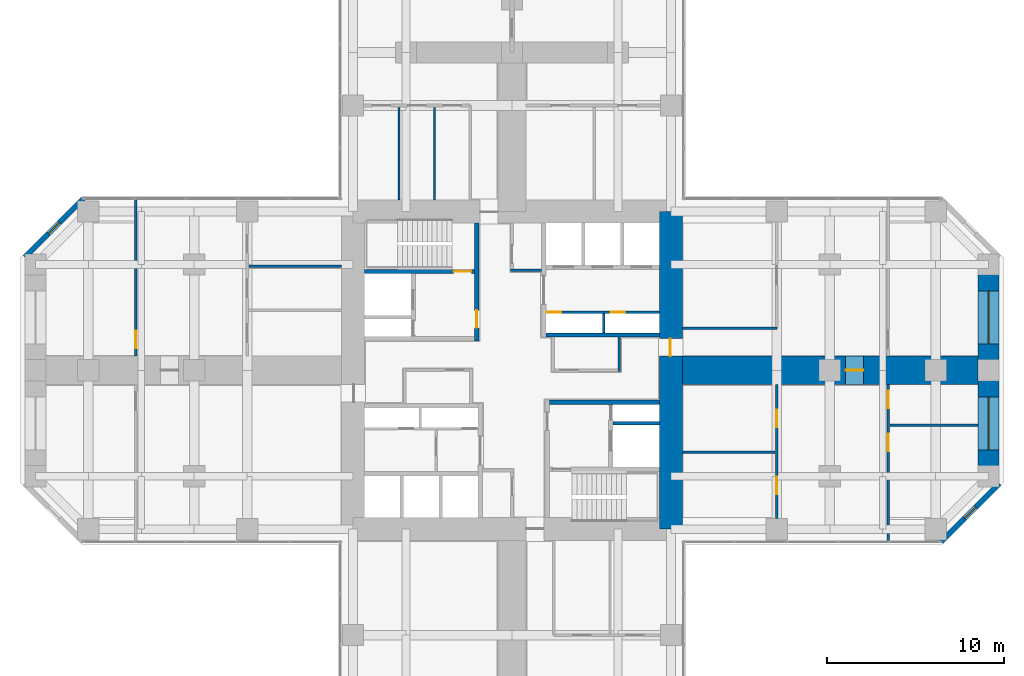
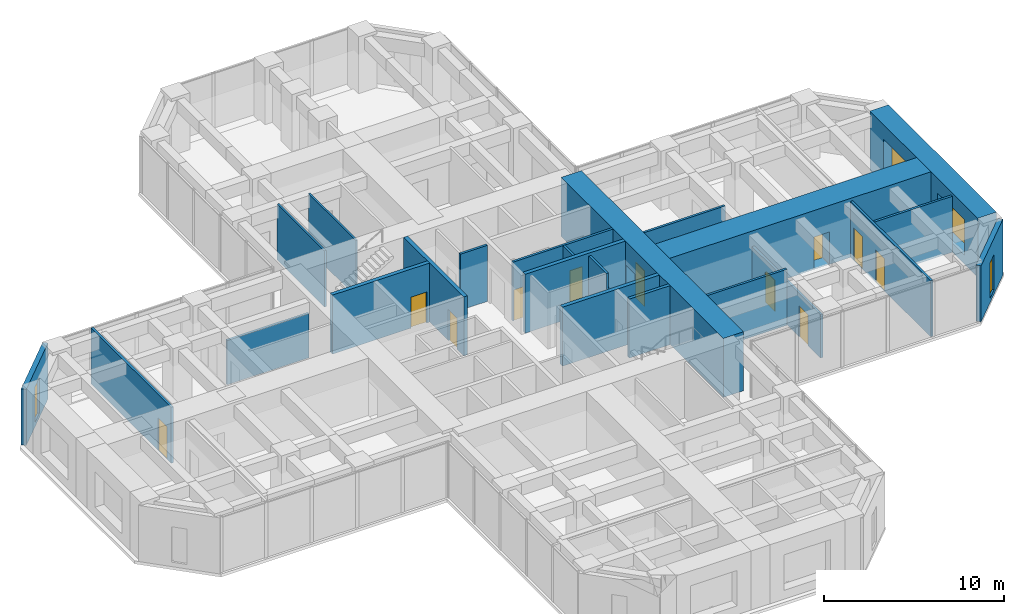
# One storey, part 10 of 13: 23 walls, 11 doors, 4 windows, 15 openings.
"""IFC4 building model written with IfcOpenShell, lengths in metres."""

from ifc_helpers import new_model, si_unit, direction, frame, frame_2d, origin, place, context, subcontext, project, spatial, rectangle, hollow_rectangle, extrude, material, layer, layer_set, constituent, constituent_set, type_object, element, fill, save


model = new_model("IFC4")

# Units and contexts
model_context = context("Model", 3, precision=1e-05, world=origin(), true_north=direction((0.0, 1.0)))
body_context = subcontext(model_context, "Body", "Model", "MODEL_VIEW")
ifc_project = project(units=[si_unit("LENGTHUNIT", "METRE"), si_unit("AREAUNIT", "SQUARE_METRE"), si_unit("VOLUMEUNIT", "CUBIC_METRE"), si_unit("PLANEANGLEUNIT", "RADIAN"), si_unit("MASSUNIT", "GRAM", prefix="KILO")], contexts=[model_context])

# Site, building, storey
site_placement = place(None, origin())
site = spatial("IfcSite", under=ifc_project, at=site_placement, CompositionType="ELEMENT")
building_placement = place(site_placement, origin())
building = spatial("IfcBuilding", under=site, at=building_placement, Name="Torre Cruceta", CompositionType="ELEMENT")
storey_placement = place(building_placement, frame((0.0, 0.0, 27.5)))
storey = spatial("IfcBuildingStorey", under=building, at=storey_placement, Name="L06", CompositionType="ELEMENT", Elevation=27.5)

# Wall
ifc_material_1 = material(Name="Concrete G60 (fck 60 MPa)", Category="concrete")
ifc_layer_1 = layer(ifc_material_1, 0.25)
ifc_layer_set_1 = layer_set([ifc_layer_1], Name="Concrete G60 (fck 60 MPa)")
wall_type_1 = type_object("IfcWallType", Name="CORE INNER WALL 250 G60", PredefinedType="SHEAR", material=ifc_layer_set_1)
wall_1_placement = place(storey_placement, frame((1.925048828125, 2.0, 0.0), z_axis=(0.0, 0.0, 1.0), x_axis=(1.0, 0.0, 0.0)))
element("IfcWall", 1, at=wall_1_placement, inside=storey, type_object=wall_type_1, Name="CW4 L06 NE-CV", PredefinedType="SHEAR", context=body_context, shape_type="SweptSolid", body=[
    extrude(rectangle(XDim=6.425048828125, YDim=0.25, at=frame_2d((3.21240234375, 0.0))), origin(), (0.0, 0.0, 1.0), 4.0),
])

# Wall, opening, door
wall_2_placement = place(storey_placement, frame((-2.0, 1.675048828125, 0.0), z_axis=(0.0, 0.0, 1.0), x_axis=(0.0, 1.0, 0.0)))
wall_2 = element("IfcWall", 2, at=wall_2_placement, inside=storey, type_object=wall_type_1, Name="CW4 L06 NW-CU", PredefinedType="SHEAR", context=body_context, shape_type="SweptSolid", body=[
    extrude(rectangle(XDim=6.675048828125, YDim=0.25, at=frame_2d((3.33740234375, 0.0))), origin(), (0.0, 0.0, 1.0), 4.0),
])
opening_1_placement = place(wall_2_placement, frame((0.72509765625, 0.0, 0.0)))
opening_1 = element("IfcOpeningElement", 3, at=opening_1_placement, cuts=wall_2, Name="Opening D3", PredefinedType="OPENING", context=body_context, shape_type="SweptSolid", body=[
    extrude(rectangle(XDim=1.0, YDim=2.10009765625, at=frame_2d((0.5, 1.050048828125))), frame((0.0, 0.135009765625, 0.0), z_axis=(0.0, -1.0, 0.0), x_axis=(1.0, 0.0, 0.0)), (0.0, 0.0, 1.0), 0.27001953125),
])
ifc_material_2 = material(Name="Steel DX51D", Category="steel")
ifc_constituent_1 = constituent(ifc_material_2, Name="Leaf and frame")
ifc_material_3 = material(Name="Polyester powder coating", Category="paint")
ifc_constituent_2 = constituent(ifc_material_3, Name="Finish")
ifc_constituent_set_1 = constituent_set(constituents=[ifc_constituent_1, ifc_constituent_2], Name="Steel fire door")
door_type_1 = type_object("IfcDoorType", Name="FIRE DOOR 1000X2100", OperationType="SINGLE_SWING_LEFT", PredefinedType="DOOR", material=ifc_constituent_set_1)
door_1_placement = place(opening_1_placement, origin())
door_1 = element("IfcDoor", 4, at=door_1_placement, inside=storey, type_object=door_type_1, Name="D3 L06 NW-LOBBY", OperationType="SINGLE_SWING_LEFT", OverallHeight=2.10009765625, OverallWidth=1.0, PredefinedType="DOOR", context=body_context, shape_type="SweptSolid", body=[
    extrude(rectangle(XDim=1.0, YDim=2.10009765625, at=frame_2d((0.5, 1.050048828125))), frame((0.0, 0.02490234375, 0.0), z_axis=(0.0, -1.0, 0.0), x_axis=(1.0, 0.0, 0.0)), (0.0, 0.0, 1.0), 0.050048828125),
])
fill(opening_1, door_1)

wall_3_placement = place(storey_placement, frame((-2.125, 5.60009765625, 0.0), z_axis=(0.0, 0.0, 1.0), x_axis=(-1.0, 0.0, 0.0)))
wall_3 = element("IfcWall", 5, at=wall_3_placement, inside=storey, type_object=wall_type_1, Name="CW4 L06 NW-SV", PredefinedType="SHEAR", context=body_context, shape_type="SweptSolid", body=[
    extrude(rectangle(XDim=6.22509765625, YDim=0.25, at=frame_2d((3.112548828125, 0.0))), origin(), (0.0, 0.0, 1.0), 4.0),
])
opening_2_placement = place(wall_3_placement, frame((0.175048828125, 0.0, 0.0)))
opening_2 = element("IfcOpeningElement", 6, at=opening_2_placement, cuts=wall_3, Name="Opening D3", PredefinedType="OPENING", context=body_context, shape_type="SweptSolid", body=[
    extrude(rectangle(XDim=1.0, YDim=2.10009765625, at=frame_2d((0.5, 1.050048828125))), frame((0.0, 0.135009765625, 0.0), z_axis=(0.0, -1.0, 0.0), x_axis=(1.0, 0.0, 0.0)), (0.0, 0.0, 1.0), 0.27001953125),
])
door_2_placement = place(opening_2_placement, frame((1.0, 0.0, 0.0), z_axis=(0.0, 0.0, 1.0), x_axis=(-1.0, 0.0, 0.0)))
door_2 = element("IfcDoor", 7, at=door_2_placement, inside=storey, type_object=door_type_1, Name="D3 L06 NW-STAIR", OperationType="SINGLE_SWING_RIGHT", OverallHeight=2.10009765625, OverallWidth=1.0, PredefinedType="DOOR", context=body_context, shape_type="SweptSolid", body=[
    extrude(rectangle(XDim=1.0, YDim=2.10009765625, at=frame_2d((0.5, 1.050048828125))), frame((0.0, 0.025146484375, 0.0), z_axis=(0.0, -1.0, 0.0), x_axis=(1.0, 0.0, 0.0)), (0.0, 0.0, 1.0), 0.050048828125),
])
fill(opening_2, door_2)

# Wall
wall_4_placement = place(storey_placement, frame((2.125, -1.800048828125, 0.0), z_axis=(0.0, 0.0, 1.0), x_axis=(1.0, 0.0, 0.0)))
element("IfcWall", 8, at=wall_4_placement, inside=storey, type_object=wall_type_1, Name="CW4 L06 SE-CV", PredefinedType="SHEAR", context=body_context, shape_type="SweptSolid", body=[
    extrude(rectangle(XDim=6.22509765625, YDim=0.25, at=frame_2d((3.112548828125, 0.0))), origin(), (0.0, 0.0, 1.0), 4.0),
])

# Wall, opening, door
ifc_material_4 = material(Name="Concrete G60 (fck 60 MPa)", Category="concrete")
ifc_layer_2 = layer(ifc_material_4, 1.300048828125)
ifc_layer_set_2 = layer_set([ifc_layer_2], Name="Concrete G60 (fck 60 MPa)")
wall_type_2 = type_object("IfcWallType", Name="CORE WALL 1300 G60", PredefinedType="SHEAR", material=ifc_layer_set_2)
wall_5_placement = place(storey_placement, frame((9.0, -9.0, 0.0), z_axis=(0.0, 0.0, 1.0), x_axis=(0.0, 1.0, 0.0)))
wall_5 = element("IfcWall", 9, at=wall_5_placement, inside=storey, type_object=wall_type_2, Name="CW1 L06 CW-E", PredefinedType="SHEAR", context=body_context, shape_type="SweptSolid", body=[
    extrude(rectangle(XDim=18.0, YDim=1.300048828125, at=frame_2d((9.0, 0.0))), origin(), (0.0, 0.0, 1.0), 4.0),
])
opening_3_placement = place(wall_5_placement, frame((9.800048828125, 0.0, 0.0)))
opening_3 = element("IfcOpeningElement", 10, at=opening_3_placement, cuts=wall_5, Name="Opening D4", PredefinedType="OPENING", context=body_context, shape_type="SweptSolid", body=[
    extrude(rectangle(XDim=1.0, YDim=2.39990234375, at=frame_2d((0.5, 1.199951171875))), frame((0.0, 0.659912109375, 0.0), z_axis=(0.0, -1.0, 0.0), x_axis=(1.0, 0.0, 0.0)), (0.0, 0.0, 1.0), 1.320068359375),
])
ifc_material_5 = material(Name="Steel DX51D", Category="steel")
ifc_constituent_3 = constituent(ifc_material_5, Name="Leaf and frame")
ifc_material_6 = material(Name="Polyester powder coating", Category="paint")
ifc_constituent_4 = constituent(ifc_material_6, Name="Finish")
ifc_constituent_set_2 = constituent_set(constituents=[ifc_constituent_3, ifc_constituent_4], Name="Steel fire door")
door_type_2 = type_object("IfcDoorType", Name="CORE ARM DOOR 1000X2400", OperationType="SINGLE_SWING_RIGHT", PredefinedType="DOOR", material=ifc_constituent_set_2)
door_3_placement = place(opening_3_placement, frame((1.0, 0.0, 0.0), z_axis=(0.0, 0.0, 1.0), x_axis=(-1.0, 0.0, 0.0)))
door_3 = element("IfcDoor", 11, at=door_3_placement, inside=storey, type_object=door_type_2, Name="D4 L06 CW-E", OperationType="SINGLE_SWING_RIGHT", OverallHeight=2.39990234375, OverallWidth=1.0, PredefinedType="DOOR", context=body_context, shape_type="SweptSolid", body=[
    extrude(rectangle(XDim=1.0, YDim=2.39990234375, at=frame_2d((0.5, 1.199951171875))), frame((0.0, -0.005126953125, 0.0), z_axis=(0.0, -1.0, 0.0), x_axis=(1.0, 0.0, 0.0)), (0.0, 0.0, 1.0), 0.050048828125),
])
fill(opening_3, door_3)

# Wall, opening, window
ifc_material_7 = material(Name="Concrete G30 (fck 30 MPa)", Category="concrete")
ifc_layer_3 = layer(ifc_material_7, 0.300048828125)
ifc_layer_set_3 = layer_set([ifc_layer_3], Name="Concrete G30 (fck 30 MPa)")
wall_type_3 = type_object("IfcWallType", Name="EXPOSED CONCRETE FACADE WALL 300", PredefinedType="SOLIDWALL", material=ifc_layer_set_3)
wall_6_placement = place(storey_placement, frame((24.29833984375, -9.719970703125, 0.0), z_axis=(0.0, 0.0, 1.0), x_axis=(0.707106781187, 0.707106781187, 0.0)))
wall_6 = element("IfcWall", 12, at=wall_6_placement, inside=storey, type_object=wall_type_3, Name="EW1 facade wall L06 E chamfer 01", PredefinedType="SOLIDWALL", context=body_context, shape_type="SweptSolid", body=[
    extrude(rectangle(XDim=4.66943359375, YDim=0.300048828125, at=frame_2d((2.334716796875, 0.0))), origin(), (0.0, 0.0, 1.0), 3.800048828125),
])
opening_4_placement = place(wall_6_placement, frame((1.884765625, 0.0, 0.300048828125)))
opening_4 = element("IfcOpeningElement", 13, at=opening_4_placement, cuts=wall_6, Name="Opening WN5", PredefinedType="OPENING", context=body_context, shape_type="SweptSolid", body=[
    extrude(rectangle(XDim=0.89990234375, YDim=2.39990234375, at=frame_2d((0.449951171875, 1.199951171875))), frame((0.0, 0.159912109375, 0.0), z_axis=(0.0, -1.0, 0.0), x_axis=(1.0, 0.0, 0.0)), (0.0, 0.0, 1.0), 0.320068359375),
])
ifc_material_8 = material(Name="Aluminium window frame", Category="aluminium")
ifc_constituent_5 = constituent(ifc_material_8, Name="Frame")
ifc_material_9 = material(Name="Laminated insulating glass unit, low-iron clear", Category="glass")
ifc_constituent_6 = constituent(ifc_material_9, Name="Glazing")
ifc_constituent_set_3 = constituent_set(constituents=[ifc_constituent_5, ifc_constituent_6], Name="Aluminium window")
window_type_1 = type_object("IfcWindowType", Name="CHAMFER SLOT WINDOW 900X2400", PartitioningType="SINGLE_PANEL", PredefinedType="WINDOW", material=ifc_constituent_set_3)
window_1_placement = place(opening_4_placement, origin())
window_1 = element("IfcWindow", 14, at=window_1_placement, inside=storey, type_object=window_type_1, Name="WN5 L06 E 1", OverallHeight=2.39990234375, OverallWidth=0.89990234375, PartitioningType="SINGLE_PANEL", PredefinedType="WINDOW", context=body_context, shape_type="SweptSolid", body=[
    extrude(hollow_rectangle(XDim=0.89990234375, YDim=2.39990234375, WallThickness=0.06005859375, at=frame_2d((0.449951171875, 1.199951171875))), frame((0.0, 0.030029296875, 0.0), z_axis=(0.0, -1.0, 0.0), x_axis=(1.0, 0.0, 0.0)), (0.0, 0.0, 1.0), 0.06005859375),
    extrude(rectangle(XDim=0.77880859375, YDim=2.27880859375, at=frame_2d((0.449951171875, 1.199951171875))), frame((0.0, 0.030029296875, 0.0), z_axis=(0.0, -1.0, 0.0), x_axis=(1.0, 0.0, 0.0)), (0.0, 0.0, 1.0), 0.06005859375),
])
fill(opening_4, window_1)

wall_7_placement = place(storey_placement, frame((-24.29833984375, 9.719970703125, 0.0), z_axis=(0.0, 0.0, 1.0), x_axis=(-0.707106781187, -0.707106781187, 0.0)))
wall_7 = element("IfcWall", 15, at=wall_7_placement, inside=storey, type_object=wall_type_3, Name="EW1 facade wall L06 W chamfer 11", PredefinedType="SOLIDWALL", context=body_context, shape_type="SweptSolid", body=[
    extrude(rectangle(XDim=4.66943359375, YDim=0.300048828125, at=frame_2d((2.334716796875, 0.0))), origin(), (0.0, 0.0, 1.0), 3.800048828125),
])
opening_5_placement = place(wall_7_placement, frame((1.884765625, 0.0, 0.300048828125)))
opening_5 = element("IfcOpeningElement", 16, at=opening_5_placement, cuts=wall_7, Name="Opening WN5", PredefinedType="OPENING", context=body_context, shape_type="SweptSolid", body=[
    extrude(rectangle(XDim=0.89990234375, YDim=2.39990234375, at=frame_2d((0.449951171875, 1.199951171875))), frame((0.0, 0.159912109375, 0.0), z_axis=(0.0, -1.0, 0.0), x_axis=(1.0, 0.0, 0.0)), (0.0, 0.0, 1.0), 0.320068359375),
])
window_2_placement = place(opening_5_placement, origin())
window_2 = element("IfcWindow", 17, at=window_2_placement, inside=storey, type_object=window_type_1, Name="WN5 L06 W 1", OverallHeight=2.39990234375, OverallWidth=0.89990234375, PartitioningType="SINGLE_PANEL", PredefinedType="WINDOW", context=body_context, shape_type="SweptSolid", body=[
    extrude(hollow_rectangle(XDim=0.89990234375, YDim=2.39990234375, WallThickness=0.06005859375, at=frame_2d((0.449951171875, 1.199951171875))), frame((0.0, 0.030029296875, 0.0), z_axis=(0.0, -1.0, 0.0), x_axis=(1.0, 0.0, 0.0)), (0.0, 0.0, 1.0), 0.06005859375),
    extrude(rectangle(XDim=0.77880859375, YDim=2.27880859375, at=frame_2d((0.449951171875, 1.199951171875))), frame((0.0, 0.030029296875, 0.0), z_axis=(0.0, -1.0, 0.0), x_axis=(1.0, 0.0, 0.0)), (0.0, 0.0, 1.0), 0.06005859375),
])
fill(opening_5, window_2)

# Wall
ifc_material_10 = material(Name="Concrete G35 (fck 35 MPa)", Category="concrete")
ifc_layer_4 = layer(ifc_material_10, 0.199951171875)
ifc_layer_set_4 = layer_set([ifc_layer_4], Name="Concrete G35 (fck 35 MPa)")
wall_type_4 = type_object("IfcWallType", Name="LIFT SHAFT WALL 200", PredefinedType="PARTITIONING", material=ifc_layer_set_4)
wall_8_placement = place(storey_placement, frame((5.72509765625, -3.0, 0.0), z_axis=(0.0, 0.0, 1.0), x_axis=(1.0, 0.0, 0.0)))
element("IfcWall", 18, at=wall_8_placement, inside=storey, type_object=wall_type_4, Name="SW1 L06 SE-FR", PredefinedType="PARTITIONING", context=body_context, shape_type="SweptSolid", body=[
    extrude(rectangle(XDim=2.625, YDim=0.199951171875, at=frame_2d((1.3125, 0.0))), origin(), (0.0, 0.0, 1.0), 4.0),
])

# Wall, openings, windows
ifc_material_11 = material(Name="Concrete G60 (fck 60 MPa)", Category="concrete")
ifc_layer_5 = layer(ifc_material_11, 1.199951171875)
ifc_layer_set_5 = layer_set([ifc_layer_5], Name="Concrete G60 (fck 60 MPa)")
wall_type_5 = type_object("IfcWallType", Name="NOSE WALL 1200 G60", PredefinedType="SHEAR", material=ifc_layer_set_5)
wall_9_placement = place(storey_placement, frame((27.0, -6.0, 0.0), z_axis=(0.0, 0.0, 1.0), x_axis=(0.0, 1.0, 0.0)))
wall_9 = element("IfcWall", 19, at=wall_9_placement, inside=storey, type_object=wall_type_5, Name="NW1 nose wall L06 E", PredefinedType="SHEAR", context=body_context, shape_type="SweptSolid", body=[
    extrude(rectangle(XDim=12.0, YDim=1.199951171875, at=frame_2d((6.0, 0.0))), origin(), (0.0, 0.0, 1.0), 4.0),
])
opening_6_placement = place(wall_9_placement, frame((1.5, 0.0, 0.60009765625)))
opening_6 = element("IfcOpeningElement", 20, at=opening_6_placement, cuts=wall_9, Name="Opening WN6", PredefinedType="OPENING", context=body_context, shape_type="SweptSolid", body=[
    extrude(rectangle(XDim=3.0, YDim=2.39990234375, at=frame_2d((1.5, 1.199951171875))), frame((0.0, 0.60986328125, 0.0), z_axis=(0.0, -1.0, 0.0), x_axis=(1.0, 0.0, 0.0)), (0.0, 0.0, 1.0), 1.219970703125),
])
opening_7_placement = place(wall_9_placement, frame((7.5, 0.0, 0.60009765625)))
opening_7 = element("IfcOpeningElement", 21, at=opening_7_placement, cuts=wall_9, Name="Opening WN6", PredefinedType="OPENING", context=body_context, shape_type="SweptSolid", body=[
    extrude(rectangle(XDim=3.0, YDim=2.39990234375, at=frame_2d((1.5, 1.199951171875))), frame((0.0, 0.60986328125, 0.0), z_axis=(0.0, -1.0, 0.0), x_axis=(1.0, 0.0, 0.0)), (0.0, 0.0, 1.0), 1.219970703125),
])
ifc_material_12 = material(Name="Aluminium window frame", Category="aluminium")
ifc_constituent_7 = constituent(ifc_material_12, Name="Frame")
ifc_material_13 = material(Name="Laminated insulating glass unit, low-iron clear", Category="glass")
ifc_constituent_8 = constituent(ifc_material_13, Name="Glazing")
ifc_constituent_set_4 = constituent_set(constituents=[ifc_constituent_7, ifc_constituent_8], Name="Aluminium window")
window_type_2 = type_object("IfcWindowType", Name="NOSE WALL WINDOW 3000X2400", PartitioningType="SINGLE_PANEL", PredefinedType="WINDOW", material=ifc_constituent_set_4)
window_3_placement = place(opening_6_placement, origin())
window_3 = element("IfcWindow", 22, at=window_3_placement, inside=storey, type_object=window_type_2, Name="WN6 L06 E 1", OverallHeight=2.39990234375, OverallWidth=3.0, PartitioningType="SINGLE_PANEL", PredefinedType="WINDOW", context=body_context, shape_type="SweptSolid", body=[
    extrude(hollow_rectangle(XDim=3.0, YDim=2.39990234375, WallThickness=0.06005859375, at=frame_2d((1.5, 1.199951171875))), frame((0.0, 0.030029296875, 0.0), z_axis=(0.0, -1.0, 0.0), x_axis=(1.0, 0.0, 0.0)), (0.0, 0.0, 1.0), 0.06005859375),
    extrude(rectangle(XDim=2.87890625, YDim=2.27880859375, at=frame_2d((1.5, 1.199951171875))), frame((0.0, 0.030029296875, 0.0), z_axis=(0.0, -1.0, 0.0), x_axis=(1.0, 0.0, 0.0)), (0.0, 0.0, 1.0), 0.06005859375),
])
fill(opening_6, window_3)
window_4_placement = place(opening_7_placement, origin())
window_4 = element("IfcWindow", 23, at=window_4_placement, inside=storey, type_object=window_type_2, Name="WN6 L06 E 2", OverallHeight=2.39990234375, OverallWidth=3.0, PartitioningType="SINGLE_PANEL", PredefinedType="WINDOW", context=body_context, shape_type="SweptSolid", body=[
    extrude(hollow_rectangle(XDim=3.0, YDim=2.39990234375, WallThickness=0.06005859375, at=frame_2d((1.5, 1.199951171875))), frame((0.0, 0.030029296875, 0.0), z_axis=(0.0, -1.0, 0.0), x_axis=(1.0, 0.0, 0.0)), (0.0, 0.0, 1.0), 0.06005859375),
    extrude(rectangle(XDim=2.87890625, YDim=2.27880859375, at=frame_2d((1.5, 1.199951171875))), frame((0.0, 0.030029296875, 0.0), z_axis=(0.0, -1.0, 0.0), x_axis=(1.0, 0.0, 0.0)), (0.0, 0.0, 1.0), 0.06005859375),
])
fill(opening_7, window_4)

# Walls
ifc_material_14 = material(Name="Plasterboard on steel studs", Category="steel")
ifc_layer_6 = layer(ifc_material_14, 0.14990234375)
ifc_layer_set_6 = layer_set([ifc_layer_6], Name="Plasterboard on steel studs")
wall_type_6 = type_object("IfcWallType", Name="PARTITION 150", PredefinedType="PARTITIONING", material=ifc_layer_set_6)
wall_10_placement = place(storey_placement, frame((6.074951171875, -0.074951171875, 0.0), z_axis=(0.0, 0.0, 1.0), x_axis=(0.0, 1.0, 0.0)))
element("IfcWall", 24, at=wall_10_placement, inside=storey, type_object=wall_type_6, Name="PT1 L06-CORE-LEGE-N-W3", PredefinedType="PARTITIONING", context=body_context, shape_type="SweptSolid", body=[
    extrude(rectangle(XDim=1.949951171875, YDim=0.14990234375, at=frame_2d((0.97509765625, 0.0))), origin(), (0.0, 0.0, 1.0), 3.800048828125),
])
wall_11_placement = place(storey_placement, frame((1.675048828125, 5.675048828125, 0.0), z_axis=(0.0, 0.0, 1.0), x_axis=(-1.0, 0.0, 0.0)))
element("IfcWall", 25, at=wall_11_placement, inside=storey, type_object=wall_type_6, Name="PT1 L06-CORE-LEGN-E-W2", PredefinedType="PARTITIONING", context=body_context, shape_type="SweptSolid", body=[
    extrude(rectangle(XDim=1.75, YDim=0.14990234375, at=frame_2d((0.875, 0.0))), origin(), (0.0, 0.0, 1.0), 3.800048828125),
])
wall_12_placement = place(storey_placement, frame((9.64990234375, 2.375, 0.0), z_axis=(0.0, 0.0, 1.0), x_axis=(1.0, 0.0, 0.0)))
element("IfcWall", 26, at=wall_12_placement, inside=storey, type_object=wall_type_6, Name="PT1 L06-E-BSL", PredefinedType="PARTITIONING", context=body_context, shape_type="SweptSolid", body=[
    extrude(rectangle(XDim=5.35009765625, YDim=0.14990234375, at=frame_2d((2.675048828125, 0.0))), origin(), (0.0, 0.0, 1.0), 3.800048828125),
])

# Wall, openings, doors
wall_13_placement = place(storey_placement, frame((15.0, -8.39990234375, 0.0), z_axis=(0.0, 0.0, 1.0), x_axis=(0.0, 1.0, 0.0)))
wall_13 = element("IfcWall", 27, at=wall_13_placement, inside=storey, type_object=wall_type_6, Name="PT1 L06-E-BFR", PredefinedType="PARTITIONING", context=body_context, shape_type="SweptSolid", body=[
    extrude(rectangle(XDim=7.599853515625, YDim=0.14990234375, at=frame_2d((3.7998046875, 0.0))), origin(), (0.0, 0.0, 1.0), 2.949951171875),
])
opening_8_placement = place(wall_13_placement, frame((1.375, 0.0, 0.0)))
opening_8 = element("IfcOpeningElement", 28, at=opening_8_placement, cuts=wall_13, Name="Opening D3", PredefinedType="OPENING", context=body_context, shape_type="SweptSolid", body=[
    extrude(rectangle(XDim=1.0, YDim=2.10009765625, at=frame_2d((0.5, 1.050048828125))), frame((0.0, 0.0849609375, 0.0), z_axis=(0.0, -1.0, 0.0), x_axis=(1.0, 0.0, 0.0)), (0.0, 0.0, 1.0), 0.169921875),
])
opening_9_placement = place(wall_13_placement, frame((5.175048828125, 0.0, 0.0)))
opening_9 = element("IfcOpeningElement", 29, at=opening_9_placement, cuts=wall_13, Name="Opening D3", PredefinedType="OPENING", context=body_context, shape_type="SweptSolid", body=[
    extrude(rectangle(XDim=1.0, YDim=2.10009765625, at=frame_2d((0.5, 1.050048828125))), frame((0.0, 0.0849609375, 0.0), z_axis=(0.0, -1.0, 0.0), x_axis=(1.0, 0.0, 0.0)), (0.0, 0.0, 1.0), 0.169921875),
])
door_4_placement = place(opening_8_placement, origin())
door_4 = element("IfcDoor", 30, at=door_4_placement, inside=storey, type_object=door_type_1, Name="D3 L06-E-BFR-D1", OperationType="SINGLE_SWING_RIGHT", OverallHeight=2.10009765625, OverallWidth=1.0, PredefinedType="DOOR", context=body_context, shape_type="SweptSolid", body=[
    extrude(rectangle(XDim=1.0, YDim=2.10009765625, at=frame_2d((0.5, 1.050048828125))), frame((0.0, 0.02490234375, 0.0), z_axis=(0.0, -1.0, 0.0), x_axis=(1.0, 0.0, 0.0)), (0.0, 0.0, 1.0), 0.050048828125),
])
fill(opening_8, door_4)
door_5_placement = place(opening_9_placement, origin())
door_5 = element("IfcDoor", 31, at=door_5_placement, inside=storey, type_object=door_type_1, Name="D3 L06-E-BFR-D2", OperationType="SINGLE_SWING_LEFT", OverallHeight=2.10009765625, OverallWidth=1.0, PredefinedType="DOOR", context=body_context, shape_type="SweptSolid", body=[
    extrude(rectangle(XDim=1.0, YDim=2.10009765625, at=frame_2d((0.5, 1.050048828125))), frame((0.0, 0.02490234375, 0.0), z_axis=(0.0, -1.0, 0.0), x_axis=(1.0, 0.0, 0.0)), (0.0, 0.0, 1.0), 0.050048828125),
])
fill(opening_9, door_5)

# Walls
wall_14_placement = place(storey_placement, frame((9.64990234375, -4.64990234375, 0.0), z_axis=(0.0, 0.0, 1.0), x_axis=(1.0, 0.0, 0.0)))
element("IfcWall", 32, at=wall_14_placement, inside=storey, type_object=wall_type_6, Name="PT1 L06-E-BDR1", PredefinedType="PARTITIONING", context=body_context, shape_type="SweptSolid", body=[
    extrude(rectangle(XDim=5.25, YDim=0.14990234375, at=frame_2d((2.625, 0.0))), origin(), (0.0, 0.0, 1.0), 3.800048828125),
])
wall_15_placement = place(storey_placement, frame((21.419921875, -3.117919921875, 0.0), z_axis=(0.0, 0.0, 1.0), x_axis=(1.0, 0.0, 0.0)))
element("IfcWall", 33, at=wall_15_placement, inside=storey, type_object=wall_type_6, Name="PT1 L06-E-TDR", PredefinedType="PARTITIONING", context=body_context, shape_type="SweptSolid", body=[
    extrude(rectangle(XDim=4.97998046875, YDim=0.14990234375, at=frame_2d((2.489990234375, 0.0))), origin(), (0.0, 0.0, 1.0), 3.800048828125),
])

# Wall, openings, doors
wall_16_placement = place(storey_placement, frame((21.320068359375, -9.679931640625, 0.0), z_axis=(0.0, 0.0, 1.0), x_axis=(0.0, 1.0, 0.0)))
wall_16 = element("IfcWall", 34, at=wall_16_placement, inside=storey, type_object=wall_type_6, Name="PT1 L06-E-TWR", PredefinedType="PARTITIONING", context=body_context, shape_type="SweptSolid", body=[
    extrude(rectangle(XDim=8.8798828125, YDim=0.14990234375, at=frame_2d((4.43994140625, 0.0))), origin(), (0.0, 0.0, 1.0), 3.800048828125),
])
opening_10_placement = place(wall_16_placement, frame((5.0869140625, 0.0, 0.0)))
opening_10 = element("IfcOpeningElement", 35, at=opening_10_placement, cuts=wall_16, Name="Opening D14", PredefinedType="OPENING", context=body_context, shape_type="SweptSolid", body=[
    extrude(rectangle(XDim=1.0, YDim=2.199951171875, at=frame_2d((0.5, 1.10009765625))), frame((0.0, 0.0849609375, 0.0), z_axis=(0.0, -1.0, 0.0), x_axis=(1.0, 0.0, 0.0)), (0.0, 0.0, 1.0), 0.169921875),
])
opening_11_placement = place(wall_16_placement, frame((7.530029296875, 0.0, 0.0)))
opening_11 = element("IfcOpeningElement", 36, at=opening_11_placement, cuts=wall_16, Name="Opening D14", PredefinedType="OPENING", context=body_context, shape_type="SweptSolid", body=[
    extrude(rectangle(XDim=1.0, YDim=2.199951171875, at=frame_2d((0.5, 1.10009765625))), frame((0.0, 0.0849609375, 0.0), z_axis=(0.0, -1.0, 0.0), x_axis=(1.0, 0.0, 0.0)), (0.0, 0.0, 1.0), 0.169921875),
])
ifc_material_15 = material(Name="Steel DX51D", Category="steel")
ifc_constituent_9 = constituent(ifc_material_15, Name="Leaf and frame")
ifc_material_16 = material(Name="Polyester powder coating", Category="paint")
ifc_constituent_10 = constituent(ifc_material_16, Name="Finish")
ifc_material_17 = material(Name="Fire-resisting glass", Category="glass")
ifc_constituent_11 = constituent(ifc_material_17, Name="Vision panel")
ifc_constituent_set_5 = constituent_set(constituents=[ifc_constituent_9, ifc_constituent_10, ifc_constituent_11], Name="Steel fire door with vision panel")
door_type_3 = type_object("IfcDoorType", Name="FIRE DOOR VISION PANEL 1000X2200", OperationType="SINGLE_SWING_RIGHT", PredefinedType="DOOR", material=ifc_constituent_set_5)
door_6_placement = place(opening_10_placement, frame((1.0, 0.0, 0.0), z_axis=(0.0, 0.0, 1.0), x_axis=(-1.0, 0.0, 0.0)))
door_6 = element("IfcDoor", 37, at=door_6_placement, inside=storey, type_object=door_type_3, Name="D14 L06-E-TWR-D1", OperationType="SINGLE_SWING_LEFT", OverallHeight=2.199951171875, OverallWidth=1.0, PredefinedType="DOOR", context=body_context, shape_type="SweptSolid", body=[
    extrude(rectangle(XDim=1.0, YDim=2.199951171875, at=frame_2d((0.5, 1.10009765625))), frame((0.0, 0.025146484375, 0.0), z_axis=(0.0, -1.0, 0.0), x_axis=(1.0, 0.0, 0.0)), (0.0, 0.0, 1.0), 0.050048828125),
])
fill(opening_10, door_6)
door_7_placement = place(opening_11_placement, frame((1.0, 0.0, 0.0), z_axis=(0.0, 0.0, 1.0), x_axis=(-1.0, 0.0, 0.0)))
door_7 = element("IfcDoor", 38, at=door_7_placement, inside=storey, type_object=door_type_3, Name="D14 L06-E-TWR-D2", OperationType="SINGLE_SWING_LEFT", OverallHeight=2.199951171875, OverallWidth=1.0, PredefinedType="DOOR", context=body_context, shape_type="SweptSolid", body=[
    extrude(rectangle(XDim=1.0, YDim=2.199951171875, at=frame_2d((0.5, 1.10009765625))), frame((0.0, 0.025146484375, 0.0), z_axis=(0.0, -1.0, 0.0), x_axis=(1.0, 0.0, 0.0)), (0.0, 0.0, 1.0), 0.050048828125),
])
fill(opening_11, door_7)

# Wall
wall_17_placement = place(storey_placement, frame((-9.64990234375, 5.89990234375, 0.0), z_axis=(0.0, 0.0, 1.0), x_axis=(-1.0, 0.0, 0.0)))
element("IfcWall", 39, at=wall_17_placement, inside=storey, type_object=wall_type_6, Name="PT1 L06-W-BDR2", PredefinedType="PARTITIONING", context=body_context, shape_type="SweptSolid", body=[
    extrude(rectangle(XDim=5.25, YDim=0.14990234375, at=frame_2d((2.625, 0.0))), origin(), (0.0, 0.0, 1.0), 3.0),
])

# Wall, opening, door
wall_18_placement = place(storey_placement, frame((-21.320068359375, 9.679931640625, 0.0), z_axis=(0.0, 0.0, 1.0), x_axis=(0.0, -1.0, 0.0)))
wall_18 = element("IfcWall", 40, at=wall_18_placement, inside=storey, type_object=wall_type_6, Name="PT1 L06-W-TWR", PredefinedType="PARTITIONING", context=body_context, shape_type="SweptSolid", body=[
    extrude(rectangle(XDim=8.8798828125, YDim=0.14990234375, at=frame_2d((4.43994140625, 0.0))), origin(), (0.0, 0.0, 1.0), 3.800048828125),
])
opening_12_placement = place(wall_18_placement, frame((7.429931640625, 0.0, 0.0)))
opening_12 = element("IfcOpeningElement", 41, at=opening_12_placement, cuts=wall_18, Name="Opening D14", PredefinedType="OPENING", context=body_context, shape_type="SweptSolid", body=[
    extrude(rectangle(XDim=1.0, YDim=2.199951171875, at=frame_2d((0.5, 1.10009765625))), frame((0.0, 0.0849609375, 0.0), z_axis=(0.0, -1.0, 0.0), x_axis=(1.0, 0.0, 0.0)), (0.0, 0.0, 1.0), 0.169921875),
])
door_8_placement = place(opening_12_placement, frame((1.0, 0.0, 0.0), z_axis=(0.0, 0.0, 1.0), x_axis=(-1.0, 0.0, 0.0)))
door_8 = element("IfcDoor", 42, at=door_8_placement, inside=storey, type_object=door_type_3, Name="D14 L06-W-TWR-D1", OperationType="SINGLE_SWING_LEFT", OverallHeight=2.199951171875, OverallWidth=1.0, PredefinedType="DOOR", context=body_context, shape_type="SweptSolid", body=[
    extrude(rectangle(XDim=1.0, YDim=2.199951171875, at=frame_2d((0.5, 1.10009765625))), frame((0.0, 0.025146484375, 0.0), z_axis=(0.0, -1.0, 0.0), x_axis=(1.0, 0.0, 0.0)), (0.0, 0.0, 1.0), 0.050048828125),
])
fill(opening_12, door_8)

# Wall, openings, doors
ifc_material_18 = material(Name="Concrete block masonry", Category="masonry")
ifc_layer_7 = layer(ifc_material_18, 0.14990234375)
ifc_layer_set_7 = layer_set([ifc_layer_7], Name="Concrete block masonry")
wall_type_7 = type_object("IfcWallType", Name="RISER WALL 150", PredefinedType="PARTITIONING", material=ifc_layer_set_7)
wall_19_placement = place(storey_placement, frame((1.925048828125, 3.300048828125, 0.0), z_axis=(0.0, 0.0, 1.0), x_axis=(1.0, 0.0, 0.0)))
wall_19 = element("IfcWall", 43, at=wall_19_placement, inside=storey, type_object=wall_type_7, Name="SW7 L06 NE-RV", PredefinedType="PARTITIONING", context=body_context, shape_type="SweptSolid", body=[
    extrude(rectangle(XDim=6.425048828125, YDim=0.14990234375, at=frame_2d((3.21240234375, 0.0))), origin(), (0.0, 0.0, 1.0), 4.0),
])
opening_13_placement = place(wall_19_placement, frame((0.074951171875, 0.0, 0.0)))
opening_13 = element("IfcOpeningElement", 44, at=opening_13_placement, cuts=wall_19, Name="Opening D5", PredefinedType="OPENING", context=body_context, shape_type="SweptSolid", body=[
    extrude(rectangle(XDim=0.800048828125, YDim=2.10009765625, at=frame_2d((0.39990234375, 1.050048828125))), frame((0.0, 0.0849609375, 0.0), z_axis=(0.0, -1.0, 0.0), x_axis=(1.0, 0.0, 0.0)), (0.0, 0.0, 1.0), 0.169921875),
])
opening_14_placement = place(wall_19_placement, frame((3.675048828125, 0.0, 0.0)))
opening_14 = element("IfcOpeningElement", 45, at=opening_14_placement, cuts=wall_19, Name="Opening D5", PredefinedType="OPENING", context=body_context, shape_type="SweptSolid", body=[
    extrude(rectangle(XDim=0.800048828125, YDim=2.10009765625, at=frame_2d((0.39990234375, 1.050048828125))), frame((0.0, 0.0849609375, 0.0), z_axis=(0.0, -1.0, 0.0), x_axis=(1.0, 0.0, 0.0)), (0.0, 0.0, 1.0), 0.169921875),
])
ifc_material_19 = material(Name="Steel DX51D", Category="steel")
ifc_constituent_12 = constituent(ifc_material_19, Name="Leaf and frame")
ifc_material_20 = material(Name="Polyester powder coating", Category="paint")
ifc_constituent_13 = constituent(ifc_material_20, Name="Finish")
ifc_constituent_set_6 = constituent_set(constituents=[ifc_constituent_12, ifc_constituent_13], Name="Steel fire door")
door_type_4 = type_object("IfcDoorType", Name="RISER ACCESS DOOR 800X2100", OperationType="SINGLE_SWING_LEFT", PredefinedType="DOOR", material=ifc_constituent_set_6)
door_9_placement = place(opening_13_placement, frame((0.800048828125, 0.0, 0.0), z_axis=(0.0, 0.0, 1.0), x_axis=(-1.0, 0.0, 0.0)))
door_9 = element("IfcDoor", 46, at=door_9_placement, inside=storey, type_object=door_type_4, Name="D5 L06 NE-RISER1", OperationType="SINGLE_SWING_RIGHT", OverallHeight=2.10009765625, OverallWidth=0.800048828125, PredefinedType="DOOR", context=body_context, shape_type="SweptSolid", body=[
    extrude(rectangle(XDim=0.800048828125, YDim=2.10009765625, at=frame_2d((0.400146484375, 1.050048828125))), frame((0.0, 0.025146484375, 0.0), z_axis=(0.0, -1.0, 0.0), x_axis=(1.0, 0.0, 0.0)), (0.0, 0.0, 1.0), 0.050048828125),
])
fill(opening_13, door_9)
door_10_placement = place(opening_14_placement, frame((0.800048828125, 0.0, 0.0), z_axis=(0.0, 0.0, 1.0), x_axis=(-1.0, 0.0, 0.0)))
door_10 = element("IfcDoor", 47, at=door_10_placement, inside=storey, type_object=door_type_4, Name="D5 L06 NE-RISER2", OperationType="SINGLE_SWING_RIGHT", OverallHeight=2.10009765625, OverallWidth=0.800048828125, PredefinedType="DOOR", context=body_context, shape_type="SweptSolid", body=[
    extrude(rectangle(XDim=0.800048828125, YDim=2.10009765625, at=frame_2d((0.400146484375, 1.050048828125))), frame((0.0, 0.025146484375, 0.0), z_axis=(0.0, -1.0, 0.0), x_axis=(1.0, 0.0, 0.0)), (0.0, 0.0, 1.0), 0.050048828125),
])
fill(opening_14, door_10)

# Wall
wall_20_placement = place(storey_placement, frame((5.199951171875, 2.125, 0.0), z_axis=(0.0, 0.0, 1.0), x_axis=(0.0, 1.0, 0.0)))
element("IfcWall", 48, at=wall_20_placement, inside=storey, type_object=wall_type_7, Name="SW7 L06 NE-RU", PredefinedType="PARTITIONING", context=body_context, shape_type="SweptSolid", body=[
    extrude(rectangle(XDim=1.10009765625, YDim=0.14990234375, at=frame_2d((0.550048828125, 0.0))), origin(), (0.0, 0.0, 1.0), 4.0),
])

# Wall, opening, door
ifc_material_21 = material(Name="Concrete G60 (fck 60 MPa)", Category="concrete")
ifc_layer_8 = layer(ifc_material_21, 1.60009765625)
ifc_layer_set_8 = layer_set([ifc_layer_8], Name="Concrete G60 (fck 60 MPa)")
wall_type_8 = type_object("IfcWallType", Name="SPINE WALL 1600 G60", PredefinedType="SHEAR", material=ifc_layer_set_8)
wall_21_placement = place(storey_placement, frame((9.0, 0.0, 0.0), z_axis=(0.0, 0.0, 1.0), x_axis=(1.0, 0.0, 0.0)))
wall_21 = element("IfcWall", 49, at=wall_21_placement, inside=storey, type_object=wall_type_8, Name="SW2 spine wall L06 E", PredefinedType="SHEAR", context=body_context, shape_type="SweptSolid", body=[
    extrude(rectangle(XDim=18.0, YDim=1.60009765625, at=frame_2d((9.0, 0.0))), origin(), (0.0, 0.0, 1.0), 4.0),
])
opening_15_placement = place(wall_21_placement, frame((9.89990234375, 0.0, 0.0)))
opening_15 = element("IfcOpeningElement", 50, at=opening_15_placement, cuts=wall_21, Name="Opening D14", PredefinedType="OPENING", context=body_context, shape_type="SweptSolid", body=[
    extrude(rectangle(XDim=1.0, YDim=2.199951171875, at=frame_2d((0.5, 1.10009765625))), frame((0.0, 0.81005859375, 0.0), z_axis=(0.0, -1.0, 0.0), x_axis=(1.0, 0.0, 0.0)), (0.0, 0.0, 1.0), 1.6201171875),
])
door_11_placement = place(opening_15_placement, frame((1.0, 0.0, 0.0), z_axis=(0.0, 0.0, 1.0), x_axis=(-1.0, 0.0, 0.0)))
door_11 = element("IfcDoor", 51, at=door_11_placement, inside=storey, type_object=door_type_3, Name="D14 L06-E-SP1", OperationType="SINGLE_SWING_LEFT", OverallHeight=2.199951171875, OverallWidth=1.0, PredefinedType="DOOR", context=body_context, shape_type="SweptSolid", body=[
    extrude(rectangle(XDim=1.0, YDim=2.199951171875, at=frame_2d((0.5, 1.10009765625))), frame((0.0, 0.025146484375, 0.0), z_axis=(0.0, -1.0, 0.0), x_axis=(1.0, 0.0, 0.0)), (0.0, 0.0, 1.0), 0.050048828125),
])
fill(opening_15, door_11)

# Walls
ifc_material_22 = material(Name="Plasterboard on steel studs", Category="steel")
ifc_layer_9 = layer(ifc_material_22, 0.1201171875)
ifc_layer_set_9 = layer_set([ifc_layer_9], Name="Plasterboard on steel studs")
wall_type_9 = type_object("IfcWallType", Name="WC PARTITION 120", PredefinedType="PLUMBINGWALL", material=ifc_layer_set_9)
for number, where, z_axis, x_axis, name in (
    (52, (-4.38330078125, 9.64990234375, 0.0), (0.0, 0.0, 1.0), (0.0, 1.0, 0.0), "PT5 L06-N-BDL1"),
    (53, (-6.3916015625, 9.64990234375, 0.0), (0.0, 0.0, 1.0), (0.0, 1.0, 0.0), "PT5 L06-N-BDL2"),
):
    element("IfcWall", number, at=place(storey_placement, frame(where, z_axis=z_axis, x_axis=x_axis)), inside=storey, type_object=wall_type_9, Name=name, PredefinedType="PLUMBINGWALL", context=body_context, shape_type="SweptSolid", body=[
        extrude(rectangle(XDim=5.25, YDim=0.1201171875, at=frame_2d((2.625, 0.0))), origin(), (0.0, 0.0, 1.0), 3.800048828125),
    ])

save(model, "model.ifc")
